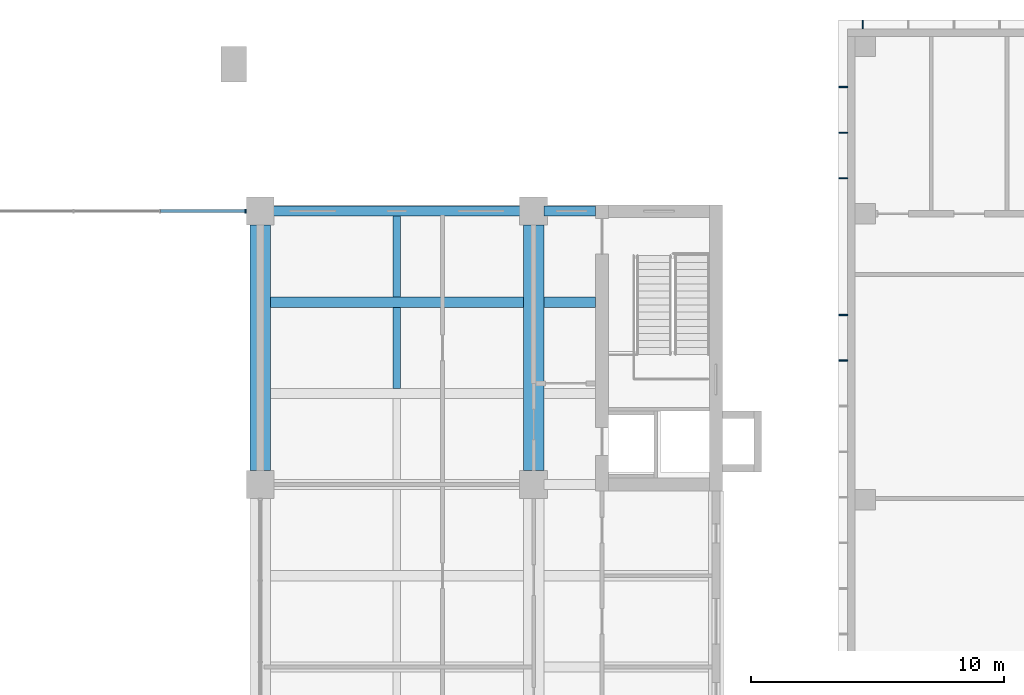
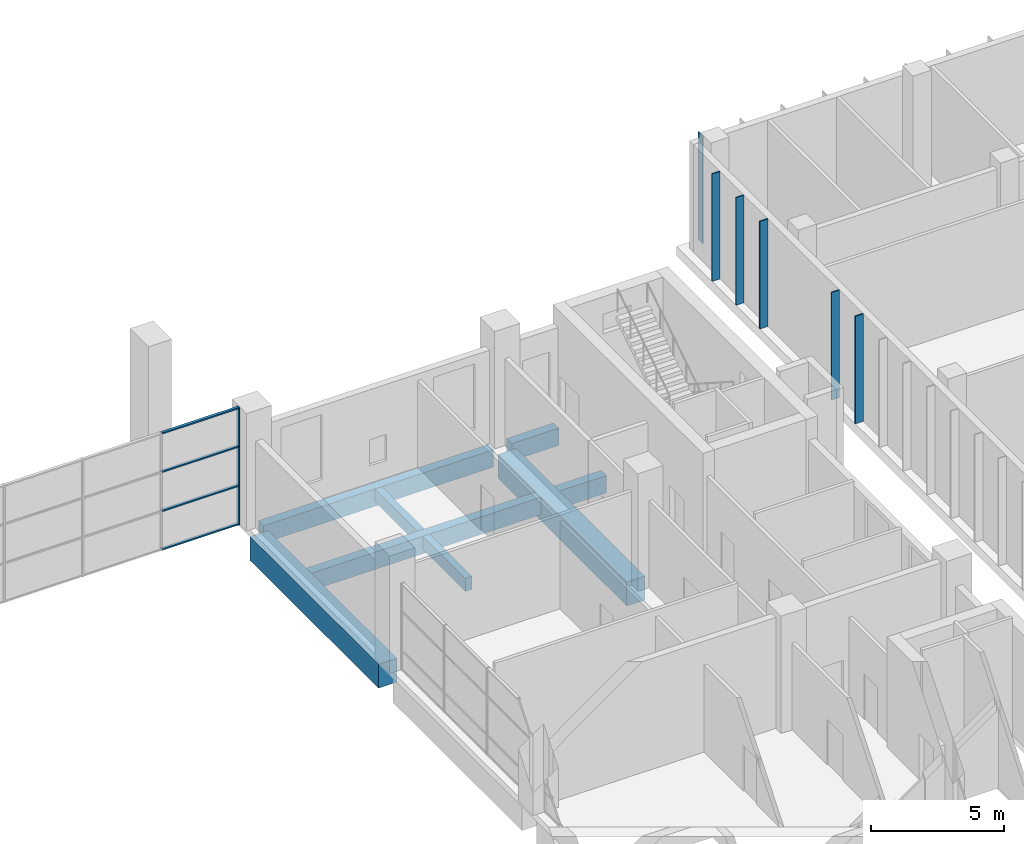
# One storey, part 12 of 33: 11 members, 8 beams, 1 element without a shape of its own.
"""IFC4 building model written with IfcOpenShell, lengths in metres."""

import ifcopenshell
import ifcopenshell.guid

model = None  # the IFC model being written
_history = None  # IfcOwnerHistory: only IFC2X3 demands one
_inside = {}  # id of a spatial element -> (the spatial element, [elements in it])
_under = {}  # id of a project, library or spatial element -> (it, [spatial elements below it])
_declared = {}  # id of a project -> (the project, [libraries it declares])
_typed = {}  # id of a type object -> (the type object, [elements of that type])
_made_of = {}  # id of a material, layer set ... -> (it, [elements and type objects made of it])


def new_model(schema):
    """Start an empty IFC model of exactly this schema.

    Asked for "IFC4X3", IfcOpenShell would pick the latest addendum, in which some entities
    have other attributes; the version numbers below select the first issue.
    IFC2X3 requires an IfcOwnerHistory on every rooted entity: one is made here for all.
    """
    global model, _history
    if schema == "IFC4X3":
        model = ifcopenshell.file(schema_version=(4, 3, 0, 0))
    else:
        model = ifcopenshell.file(schema=schema)
    _inside.clear()
    _under.clear()
    _declared.clear()
    _typed.clear()
    _made_of.clear()
    _history = None
    if model.schema == "IFC2X3":
        org = make("IfcOrganization", Name="unknown")
        user = make(
            "IfcPersonAndOrganization",
            ThePerson=make("IfcPerson", FamilyName="unknown"),
            TheOrganization=org,
        )
        app = make(
            "IfcApplication",
            ApplicationDeveloper=org,
            Version="unknown",
            ApplicationFullName="unknown",
            ApplicationIdentifier="unknown",
        )
        _history = make(
            "IfcOwnerHistory",
            OwningUser=user,
            OwningApplication=app,
            ChangeAction="ADDED",
            CreationDate=0,
        )
    return model


def make(cls, **values):
    """One entity of the class cls with the attributes given. An attribute that is None is left unset."""
    return model.create_entity(
        cls, **{name: value for name, value in values.items() if value is not None}
    )


def rooted(cls, **values):
    """An entity with a GlobalId (a new one), such as an element, a storey or a relation."""
    return make(cls, GlobalId=ifcopenshell.guid.new(), OwnerHistory=_history, **values)


def si_unit(unit_type, name, prefix=None):
    """IfcSIUnit, for example si_unit("LENGTHUNIT", "METRE", prefix="MILLI")."""
    return make("IfcSIUnit", UnitType=unit_type, Prefix=prefix, Name=name)


def assignment(units):
    """IfcUnitAssignment: the units of a project."""
    return None if units is None else make("IfcUnitAssignment", Units=units)


def point(xyz):
    """IfcCartesianPoint."""
    return None if xyz is None else make("IfcCartesianPoint", Coordinates=xyz)


def direction(xyz):
    """IfcDirection."""
    return None if xyz is None else make("IfcDirection", DirectionRatios=xyz)


def frame(location, z_axis=None, x_axis=None):
    """IfcAxis2Placement3D, a coordinate frame: its origin and axes. An axis left out is left unset."""
    return make(
        "IfcAxis2Placement3D",
        Location=point(location),
        Axis=direction(z_axis),
        RefDirection=direction(x_axis),
    )


def frame_2d(location, x_axis=None):
    """IfcAxis2Placement2D, a coordinate frame in the plane: its origin and x axis."""
    return make(
        "IfcAxis2Placement2D", Location=point(location), RefDirection=direction(x_axis)
    )


def origin():
    """The frame at (0, 0, 0) with its axes left unset."""
    return frame((0.0, 0.0, 0.0))


def origin_2d():
    """The frame at (0, 0) in the plane with its x axis left unset."""
    return frame_2d((0.0, 0.0))


def place(relative_to, where):
    """IfcLocalPlacement: puts the frame where relative to a parent placement (None: the world)."""
    return make(
        "IfcLocalPlacement", PlacementRelTo=relative_to, RelativePlacement=where
    )


def context(
    kind, dimensions, precision=None, world=None, true_north=None, identifier=None
):
    """IfcGeometricRepresentationContext, for example the 3D "Model" context."""
    return make(
        "IfcGeometricRepresentationContext",
        ContextIdentifier=identifier,
        ContextType=kind,
        CoordinateSpaceDimension=dimensions,
        Precision=precision,
        WorldCoordinateSystem=world,
        TrueNorth=true_north,
    )


def subcontext(parent, identifier, kind, view, scale=None):
    """IfcGeometricRepresentationSubContext, for example "Body" below "Model"."""
    return make(
        "IfcGeometricRepresentationSubContext",
        ContextIdentifier=identifier,
        ContextType=kind,
        ParentContext=parent,
        TargetScale=scale,
        TargetView=view,
    )


def project(units=None, contexts=None):
    """IfcProject with its units and contexts."""
    return rooted(
        "IfcProject",
        Name="project",
        RepresentationContexts=contexts,
        UnitsInContext=assignment(units),
    )


def spatial(cls, under=None, at=None, **own):
    """A site, building, storey or space (cls), placed at a placement, below another one or the project."""
    s = rooted(cls, ObjectPlacement=at, **own)
    if under is not None:
        _under.setdefault(under.id(), (under, []))[1].append(s)
    return s


def profile(cls, at=None, kind="AREA", **sizes):
    """A parametric profile (cls). Its sizes go by their IFC names, for example OverallWidth=200.0."""
    return make(cls, ProfileType=kind, Position=at, **sizes)


def rectangle(**sizes):
    """IfcRectangleProfileDef."""
    return profile("IfcRectangleProfileDef", **sizes)


def extrude(swept, where, along, depth):
    """IfcExtrudedAreaSolid: the profile swept, set in the frame where, extruded along a direction by depth."""
    return make(
        "IfcExtrudedAreaSolid",
        SweptArea=swept,
        Position=where,
        ExtrudedDirection=direction(along),
        Depth=depth,
    )


def shape(context_of_items, identifier, shape_type, items):
    """IfcShapeRepresentation: the items that make up one representation, for example the "Body"."""
    return make(
        "IfcShapeRepresentation",
        ContextOfItems=context_of_items,
        RepresentationIdentifier=identifier,
        RepresentationType=shape_type,
        Items=items,
    )


def material(Name=None, Category=None):
    """IfcMaterial."""
    return make("IfcMaterial", Name=Name, Category=Category)


def layer(
    of_material, thickness, ventilated=None, Name=None, Category=None, Priority=None
):
    """IfcMaterialLayer: one layer of a wall or slab, of a material (None: an air gap)."""
    return make(
        "IfcMaterialLayer",
        Material=of_material,
        LayerThickness=thickness,
        IsVentilated=ventilated,
        Name=Name,
        Category=Category,
        Priority=Priority,
    )


def layer_set(layers, Name=None):
    """IfcMaterialLayerSet."""
    return make("IfcMaterialLayerSet", MaterialLayers=layers, LayerSetName=Name)


def material_profile(
    of_material, cross_section, Name=None, Category=None, Priority=None
):
    """IfcMaterialProfile: a cross section and its material."""
    return make(
        "IfcMaterialProfile",
        Name=Name,
        Material=of_material,
        Profile=cross_section,
        Priority=Priority,
        Category=Category,
    )


def profile_set(profiles, Name=None, composite=None):
    """IfcMaterialProfileSet."""
    return make(
        "IfcMaterialProfileSet",
        Name=Name,
        MaterialProfiles=profiles,
        CompositeProfile=composite,
    )


def made_of(thing, what):
    """Note that an element or type object is made of a material, layer set ...; save() writes the relation."""
    if what is not None:
        _made_of.setdefault(what.id(), (what, []))[1].append(thing)
    return thing


def type_object(cls, material=None, **own):
    """A type object (cls), such as IfcWallType, which elements share."""
    return made_of(rooted(cls, **own), material)


def element(
    cls,
    number,
    at=None,
    inside=None,
    cuts=None,
    type_object=None,
    material=None,
    context=None,
    identifier="Body",
    shape_type=None,
    held_by="IfcProductDefinitionShape",
    body=None,
    shapes=None,
    **own,
):
    """One element of the class cls, such as IfcWall. Its Tag is "e" and its number.

    at: its placement. inside: the storey or other place that contains it. cuts: it is an
    opening in that element (IfcRelVoidsElement). A single representation is given by context,
    identifier, shape_type and body (its items); several are given by shapes. held_by: the class
    of the entity that holds the representations. save() writes the other relations.
    """
    e = rooted(cls, Tag="e%d" % number, ObjectPlacement=at, **own)
    if body is not None:
        shapes = [shape(context, identifier, shape_type, body)]
    if shapes is not None:
        e.Representation = make(held_by, Representations=shapes)
    if inside is not None:
        _inside.setdefault(inside.id(), (inside, []))[1].append(e)
    if cuts is not None:
        rooted(
            "IfcRelVoidsElement", RelatingBuildingElement=cuts, RelatedOpeningElement=e
        )
    if type_object is not None:
        _typed.setdefault(type_object.id(), (type_object, []))[1].append(e)
    return made_of(e, material)


def aggregate(whole, parts):
    """IfcRelAggregates: a whole, such as a stair, and the parts it consists of."""
    return rooted("IfcRelAggregates", RelatingObject=whole, RelatedObjects=parts)


def save(model, path):
    """Write the relations noted so far, then the file.

    IfcRelAggregates (storeys below a building ...), IfcRelContainedInSpatialStructure (elements
    in a storey), IfcRelDefinesByType, IfcRelAssociatesMaterial and IfcRelDeclares: one each for
    every whole, place, type object, material and project.
    """
    for whole, parts in _under.values():
        aggregate(whole, parts)
    for where, things in _inside.values():
        rooted(
            "IfcRelContainedInSpatialStructure",
            RelatedElements=things,
            RelatingStructure=where,
        )
    for kind, things in _typed.values():
        rooted("IfcRelDefinesByType", RelatedObjects=things, RelatingType=kind)
    for what, things in _made_of.values():
        rooted("IfcRelAssociatesMaterial", RelatedObjects=things, RelatingMaterial=what)
    for by, libraries in _declared.values():
        rooted("IfcRelDeclares", RelatingContext=by, RelatedDefinitions=libraries)
    model.write(path)


model = new_model("IFC4")

# Units and contexts
model_context = context("Model", 3, precision=1e-05, world=origin(), true_north=direction((0.0, 1.0)))
body_context = subcontext(model_context, "Body", "Model", "MODEL_VIEW")
ifc_project = project(units=[si_unit("LENGTHUNIT", "METRE"), si_unit("AREAUNIT", "SQUARE_METRE"), si_unit("VOLUMEUNIT", "CUBIC_METRE"), si_unit("PLANEANGLEUNIT", "RADIAN"), si_unit("MASSUNIT", "GRAM", prefix="KILO")], contexts=[model_context])

# Site, building, storey
site_placement = place(None, origin())
site = spatial("IfcSite", under=ifc_project, at=site_placement, CompositionType="ELEMENT")
building_placement = place(site_placement, origin())
building = spatial("IfcBuilding", under=site, at=building_placement, Name="Basin Gate Institute", CompositionType="ELEMENT")
storey_placement = place(building_placement, frame((0.0, 0.0, 6.0)))
storey = spatial("IfcBuildingStorey", under=building, at=storey_placement, Name="L01", CompositionType="ELEMENT", Elevation=6.0)

# Curtain wall, members
ifc_material_1 = material(Name="Aluminium and glass curtain wall", Category="aluminium")
ifc_layer = layer(ifc_material_1, 0.14990234375)
ifc_layer_set = layer_set([ifc_layer], Name="Atrium curtain wall CW81")
curtain_wall_type = type_object("IfcCurtainWallType", Name="Atrium curtain wall CW81", PredefinedType="NOTDEFINED", material=ifc_layer_set)
curtain_wall_placement = place(storey_placement, origin())
curtain_wall = element("IfcCurtainWall", 1, at=curtain_wall_placement, inside=storey, type_object=curtain_wall_type, material=ifc_layer_set, Name="Atrium end screen N L01", PredefinedType="NOTDEFINED")
ifc_material_2 = material(Name="Aluminium mullion", Category="aluminium")
ifc_material_profile_1 = material_profile(ifc_material_2, rectangle(XDim=0.159912109375, YDim=0.06005859375, at=origin_2d()), Name="Atrium mullion MU81 160 x 60")
ifc_profile_set_1 = profile_set([ifc_material_profile_1], Name="Aluminium mullion")
member_type_1 = type_object("IfcMemberType", Name="Atrium mullion MU81", PredefinedType="MULLION", material=ifc_profile_set_1)
member_1_placement = place(storey_placement, frame((100.219970703125, 99.89990234375, 0.0), z_axis=(0.0, 0.0, 1.0), x_axis=(0.0, 1.0, 0.0)))
member_1 = element("IfcMember", 2, at=member_1_placement, type_object=member_type_1, material=ifc_profile_set_1, Name="CW81 mullion 7", PredefinedType="MULLION", context=body_context, shape_type="SweptSolid", body=[
    extrude(rectangle(XDim=0.159912109375, YDim=0.06005859375, at=origin_2d()), origin(), (0.0, 0.0, 1.0), 5.39990234375),
])
ifc_material_3 = material(Name="Aluminium transom", Category="aluminium")
ifc_material_profile_2 = material_profile(ifc_material_3, rectangle(XDim=0.1201171875, YDim=0.06005859375, at=origin_2d()), Name="Atrium transom TR81 120 x 60")
ifc_profile_set_2 = profile_set([ifc_material_profile_2], Name="Aluminium transom")
member_type_2 = type_object("IfcMemberType", Name="Atrium transom TR81", PredefinedType="USERDEFINED", material=ifc_profile_set_2)
member_2_placement = place(storey_placement, frame((96.86328125, 99.89990234375, 0.030029296875), z_axis=(1.0, 0.0, 0.0), x_axis=(0.0, 1.0, 0.0)))
member_2 = element("IfcMember", 3, at=member_2_placement, type_object=member_type_2, material=ifc_profile_set_2, Name="CW81 transom 6.1", ObjectType="TRANSOM", PredefinedType="USERDEFINED", context=body_context, shape_type="SweptSolid", body=[
    extrude(rectangle(XDim=0.1201171875, YDim=0.06005859375, at=origin_2d()), origin(), (0.0, 0.0, 1.0), 3.32666015625),
])
member_3_placement = place(storey_placement, frame((96.86328125, 99.89990234375, 1.800048828125), z_axis=(1.0, 0.0, 0.0), x_axis=(0.0, 1.0, 0.0)))
member_3 = element("IfcMember", 4, at=member_3_placement, type_object=member_type_2, material=ifc_profile_set_2, Name="CW81 transom 6.2", ObjectType="TRANSOM", PredefinedType="USERDEFINED", context=body_context, shape_type="SweptSolid", body=[
    extrude(rectangle(XDim=0.1201171875, YDim=0.06005859375, at=origin_2d()), origin(), (0.0, 0.0, 1.0), 3.32666015625),
])
member_4_placement = place(storey_placement, frame((96.86328125, 99.89990234375, 3.60009765625), z_axis=(1.0, 0.0, 0.0), x_axis=(0.0, 1.0, 0.0)))
member_4 = element("IfcMember", 5, at=member_4_placement, type_object=member_type_2, material=ifc_profile_set_2, Name="CW81 transom 6.3", ObjectType="TRANSOM", PredefinedType="USERDEFINED", context=body_context, shape_type="SweptSolid", body=[
    extrude(rectangle(XDim=0.1201171875, YDim=0.06005859375, at=origin_2d()), origin(), (0.0, 0.0, 1.0), 3.32666015625),
])
member_5_placement = place(storey_placement, frame((96.86328125, 99.89990234375, 5.3701171875), z_axis=(1.0, 0.0, 0.0), x_axis=(0.0, 1.0, 0.0)))
member_5 = element("IfcMember", 6, at=member_5_placement, type_object=member_type_2, material=ifc_profile_set_2, Name="CW81 transom 6.4", ObjectType="TRANSOM", PredefinedType="USERDEFINED", context=body_context, shape_type="SweptSolid", body=[
    extrude(rectangle(XDim=0.1201171875, YDim=0.06005859375, at=origin_2d()), origin(), (0.0, 0.0, 1.0), 3.32666015625),
])
aggregate(curtain_wall, [member_1, member_2, member_3, member_4, member_5])

# Beams
ifc_material_4 = material(Name="Concrete 40 MPa", Category="concrete")
ifc_material_profile_3 = material_profile(ifc_material_4, rectangle(XDim=0.39990234375, YDim=0.800048828125, at=origin_2d()), Name="Beam B2 400 x 800")
ifc_profile_set_3 = profile_set([ifc_material_profile_3], Name="Concrete 40 MPa")
beam_type_1 = type_object("IfcBeamType", Name="Beam B2 R180", PredefinedType="BEAM", material=ifc_profile_set_3)
beam_1_placement = place(storey_placement, frame((111.199951171875, 96.300048828125, -0.699951171875), z_axis=(-1.0, 0.0, 0.0), x_axis=(0.0, -1.0, 0.0)))
element("IfcBeam", 7, at=beam_1_placement, inside=storey, type_object=beam_type_1, material=ifc_profile_set_3, Name="BEAM/L01/E/EW/18", PredefinedType="BEAM", context=body_context, shape_type="SweptSolid", body=[
    extrude(rectangle(XDim=0.39990234375, YDim=0.800048828125, at=origin_2d()), origin(), (0.0, 0.0, 1.0), 10.0),
])
beam_2_placement = place(storey_placement, frame((114.050048828125, 96.300048828125, -0.699951171875), z_axis=(-1.0, 0.0, 0.0), x_axis=(0.0, -1.0, 0.0)))
element("IfcBeam", 8, at=beam_2_placement, inside=storey, type_object=beam_type_1, material=ifc_profile_set_3, Name="BEAM/L01/E/CORR/18", PredefinedType="BEAM", context=body_context, shape_type="SweptSolid", body=[
    extrude(rectangle(XDim=0.39990234375, YDim=0.800048828125, at=origin_2d()), origin(), (0.0, 0.0, 1.0), 2.050048828125),
])
beam_3_placement = place(storey_placement, frame((111.199951171875, 99.89990234375, -0.699951171875), z_axis=(-1.0, 0.0, 0.0), x_axis=(0.0, -1.0, 0.0)))
element("IfcBeam", 9, at=beam_3_placement, inside=storey, type_object=beam_type_1, material=ifc_profile_set_3, Name="BEAM/L01/E/EW/19", PredefinedType="BEAM", context=body_context, shape_type="SweptSolid", body=[
    extrude(rectangle(XDim=0.39990234375, YDim=0.800048828125, at=origin_2d()), origin(), (0.0, 0.0, 1.0), 10.0),
])
beam_4_placement = place(storey_placement, frame((114.050048828125, 99.89990234375, -0.699951171875), z_axis=(-1.0, 0.0, 0.0), x_axis=(0.0, -1.0, 0.0)))
element("IfcBeam", 10, at=beam_4_placement, inside=storey, type_object=beam_type_1, material=ifc_profile_set_3, Name="BEAM/L01/E/CORR/19", PredefinedType="BEAM", context=body_context, shape_type="SweptSolid", body=[
    extrude(rectangle(XDim=0.39990234375, YDim=0.800048828125, at=origin_2d()), origin(), (0.0, 0.0, 1.0), 2.050048828125),
])
ifc_material_5 = material(Name="Concrete 50 MPa", Category="concrete")
ifc_material_profile_4 = material_profile(ifc_material_5, rectangle(XDim=0.800048828125, YDim=1.10009765625, at=origin_2d()), Name="Girder G2 800 x 1100")
ifc_profile_set_4 = profile_set([ifc_material_profile_4], Name="Concrete 50 MPa")
beam_type_2 = type_object("IfcBeamType", Name="Girder G2 R180", PredefinedType="BEAM", material=ifc_profile_set_4)
for number, where, z_axis, x_axis, name in (
    (11, (111.60009765625, 89.64990234375, -0.85009765625), (0.0, 1.0, 0.0), (-1.0, 0.0, 0.0), "GIR/L01/E8/6"),
    (12, (100.800048828125, 89.64990234375, -0.85009765625), (0.0, 1.0, 0.0), (-1.0, 0.0, 0.0), "GIR/L01/E7/6"),
):
    element("IfcBeam", number, at=place(storey_placement, frame(where, z_axis=z_axis, x_axis=x_axis)), inside=storey, type_object=beam_type_2, material=ifc_profile_set_4, Name=name, PredefinedType="BEAM", context=body_context, shape_type="SweptSolid", body=[
        extrude(rectangle(XDim=0.800048828125, YDim=1.10009765625, at=origin_2d()), origin(), (0.0, 0.0, 1.0), 9.7001953125),
    ])

# Members
ifc_material_6 = material(Name="Anodised aluminium", Category="aluminium")
ifc_material_profile_5 = material_profile(ifc_material_6, rectangle(XDim=0.050048828125, YDim=0.35009765625, at=origin_2d()), Name="Louvre fin CF1 50 x 350")
ifc_profile_set_5 = profile_set([ifc_material_profile_5], Name="Anodised aluminium")
member_type_3 = type_object("IfcMemberType", Name="Louvre fin CF1", PredefinedType="PLATE", material=ifc_profile_set_5)
for number, where, z_axis, x_axis, name in (
    (13, (124.60009765625, 107.27490234375, 0.0), (0.0, 0.0, 1.0), (1.0, 0.0, 0.0), "Louvre fin CF1 N1 L01"),
    (14, (123.824951171875, 94.0, 0.0), (0.0, 0.0, 1.0), (0.0, 1.0, 0.0), "Louvre fin CF1 W14 L01"),
    (15, (123.824951171875, 95.800048828125, 0.0), (0.0, 0.0, 1.0), (0.0, 1.0, 0.0), "Louvre fin CF1 W15 L01"),
    (16, (123.824951171875, 101.199951171875, 0.0), (0.0, 0.0, 1.0), (0.0, 1.0, 0.0), "Louvre fin CF1 W18 L01"),
    (17, (123.824951171875, 103.0, 0.0), (0.0, 0.0, 1.0), (0.0, 1.0, 0.0), "Louvre fin CF1 W19 L01"),
    (18, (123.824951171875, 104.800048828125, 0.0), (0.0, 0.0, 1.0), (0.0, 1.0, 0.0), "Louvre fin CF1 W20 L01"),
):
    element("IfcMember", number, at=place(storey_placement, frame(where, z_axis=z_axis, x_axis=x_axis)), inside=storey, type_object=member_type_3, material=ifc_profile_set_5, Name=name, PredefinedType="PLATE", context=body_context, shape_type="SweptSolid", body=[
        extrude(rectangle(XDim=0.050048828125, YDim=0.35009765625, at=origin_2d()), origin(), (0.0, 0.0, 1.0), 4.949951171875),
    ])

# Beams
ifc_material_7 = material(Name="Concrete 40 MPa", Category="concrete")
ifc_material_profile_6 = material_profile(ifc_material_7, rectangle(XDim=0.300048828125, YDim=0.60009765625, at=origin_2d()), Name="Rib R2 300 x 600")
ifc_profile_set_6 = profile_set([ifc_material_profile_6], Name="Concrete 40 MPa")
beam_type_3 = type_object("IfcBeamType", Name="Rib R2 R180", PredefinedType="JOIST", material=ifc_profile_set_6)
beam_5_placement = place(storey_placement, frame((106.199951171875, 92.89990234375, -0.60009765625), z_axis=(0.0, 1.0, 0.0), x_axis=(-1.0, 0.0, 0.0)))
element("IfcBeam", 19, at=beam_5_placement, inside=storey, type_object=beam_type_3, material=ifc_profile_set_6, Name="BEAM/L01/E/RIB/17", PredefinedType="JOIST", context=body_context, shape_type="SweptSolid", body=[
    extrude(rectangle(XDim=0.300048828125, YDim=0.60009765625, at=origin_2d()), origin(), (0.0, 0.0, 1.0), 3.2001953125),
])
beam_6_placement = place(storey_placement, frame((106.199951171875, 96.5, -0.60009765625), z_axis=(0.0, 1.0, 0.0), x_axis=(-1.0, 0.0, 0.0)))
element("IfcBeam", 20, at=beam_6_placement, inside=storey, type_object=beam_type_3, material=ifc_profile_set_6, Name="BEAM/L01/E/RIB/18", PredefinedType="JOIST", context=body_context, shape_type="SweptSolid", body=[
    extrude(rectangle(XDim=0.300048828125, YDim=0.60009765625, at=origin_2d()), origin(), (0.0, 0.0, 1.0), 3.199951171875),
])

save(model, "model.ifc")
